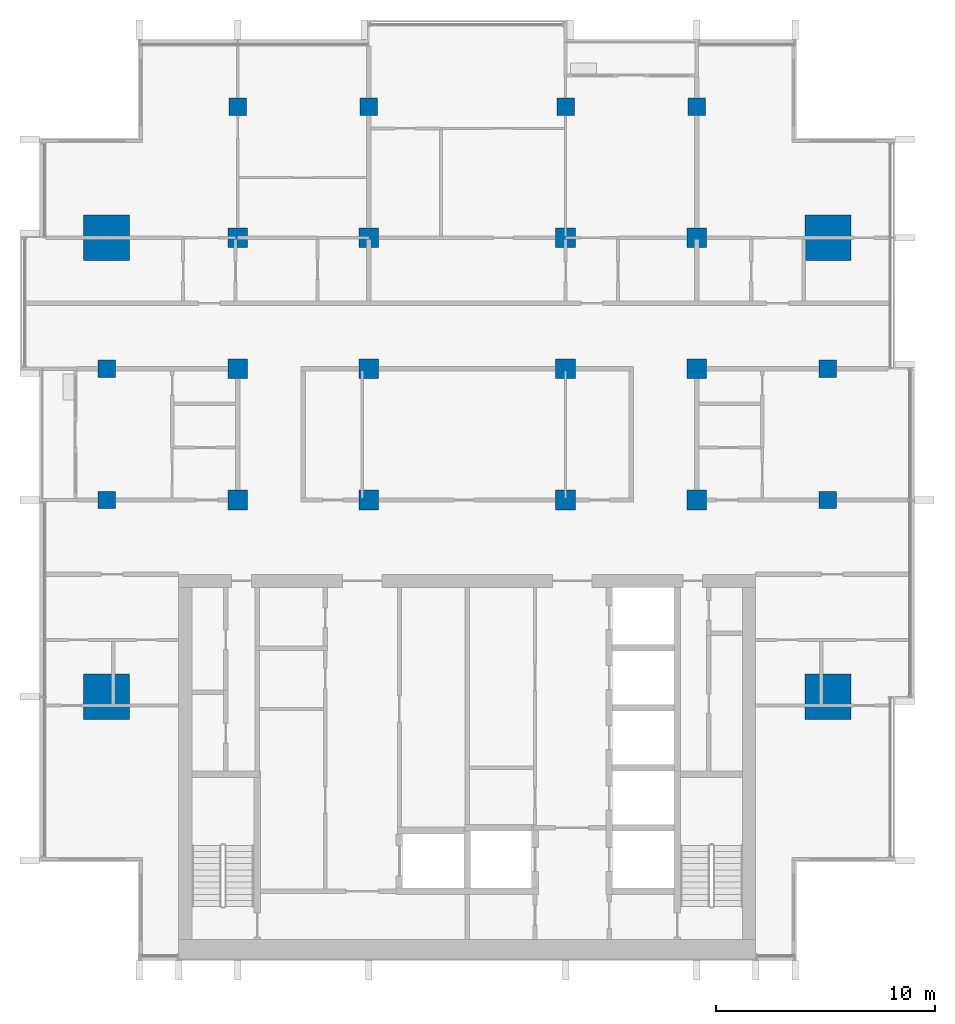
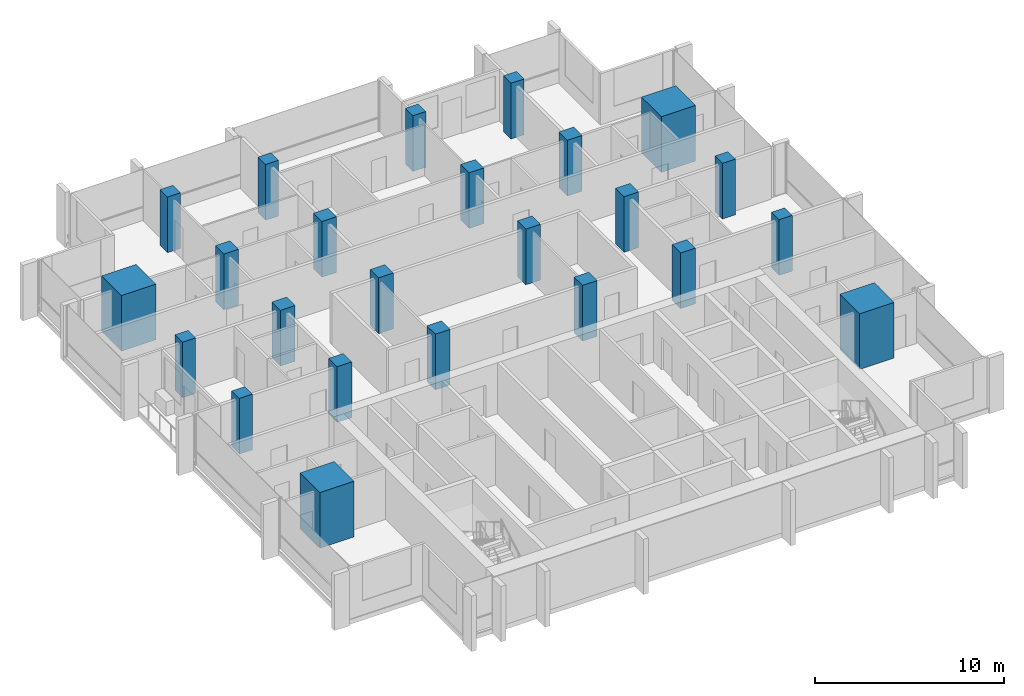
# One storey, part 1 of 16: 24 columns.
"""IFC4 building model written with IfcOpenShell, lengths in metres."""

from ifc_helpers import new_model, si_unit, direction, frame, origin, origin_2d, place, context, subcontext, project, spatial, rectangle, extrude, material, material_profile, profile_set, type_object, element, save


model = new_model("IFC4")

# Units and contexts
model_context = context("Model", 3, precision=1e-05, world=origin(), true_north=direction((0.0, 1.0)))
body_context = subcontext(model_context, "Body", "Model", "MODEL_VIEW")
ifc_project = project(units=[si_unit("LENGTHUNIT", "METRE"), si_unit("AREAUNIT", "SQUARE_METRE"), si_unit("VOLUMEUNIT", "CUBIC_METRE"), si_unit("PLANEANGLEUNIT", "RADIAN"), si_unit("MASSUNIT", "GRAM", prefix="KILO")], contexts=[model_context])

# Site, building, storey
site_placement = place(None, origin())
site = spatial("IfcSite", under=ifc_project, at=site_placement, CompositionType="ELEMENT")
building_placement = place(site_placement, origin())
building = spatial("IfcBuilding", under=site, at=building_placement, Name="Finial Court Residences", CompositionType="ELEMENT")
storey_placement = place(building_placement, frame((0.0, 0.0, 233.89990234375)))
storey = spatial("IfcBuildingStorey", under=building, at=storey_placement, Name="L59", CompositionType="ELEMENT", Elevation=233.89990234375)

# Columns
ifc_material = material(Name="Concrete C50/60", Category="concrete")
ifc_material_profile_1 = material_profile(ifc_material, rectangle(XDim=0.89990234375, YDim=0.89990234375, at=origin_2d()), Name="900x900")
ifc_profile_set_1 = profile_set([ifc_material_profile_1], Name="Concrete C50/60")
column_type_1 = type_object("IfcColumnType", Name="Interior column 900x900 Concrete C50/60", PredefinedType="COLUMN", material=ifc_profile_set_1)
for number, where, z_axis, x_axis, name in (
    (1, (-10.5, -4.5, 0.0), (0.0, 0.0, 1.0), (1.0, 0.0, 0.0), "S:COL:L59:D4"),
    (2, (-10.5, 1.5, 0.0), (0.0, 0.0, 1.0), (1.0, 0.0, 0.0), "S:COL:L59:D5"),
    (3, (-10.5, 7.5, 0.0), (0.0, 0.0, 1.0), (1.0, 0.0, 0.0), "S:COL:L59:D6"),
    (4, (-4.5, -4.5, 0.0), (0.0, 0.0, 1.0), (1.0, 0.0, 0.0), "S:COL:L59:E4"),
    (5, (-4.5, 1.5, 0.0), (0.0, 0.0, 1.0), (1.0, 0.0, 0.0), "S:COL:L59:E5"),
    (6, (-4.5, 7.5, 0.0), (0.0, 0.0, 1.0), (1.0, 0.0, 0.0), "S:COL:L59:E6"),
    (7, (4.5, -4.5, 0.0), (0.0, 0.0, 1.0), (1.0, 0.0, 0.0), "S:COL:L59:F4"),
    (8, (4.5, 1.5, 0.0), (0.0, 0.0, 1.0), (1.0, 0.0, 0.0), "S:COL:L59:F5"),
    (9, (4.5, 7.5, 0.0), (0.0, 0.0, 1.0), (1.0, 0.0, 0.0), "S:COL:L59:F6"),
    (10, (10.5, -4.5, 0.0), (0.0, 0.0, 1.0), (1.0, 0.0, 0.0), "S:COL:L59:G4"),
    (11, (10.5, 1.5, 0.0), (0.0, 0.0, 1.0), (1.0, 0.0, 0.0), "S:COL:L59:G5"),
    (12, (10.5, 7.5, 0.0), (0.0, 0.0, 1.0), (1.0, 0.0, 0.0), "S:COL:L59:G6"),
):
    element("IfcColumn", number, at=place(storey_placement, frame(where, z_axis=z_axis, x_axis=x_axis)), inside=storey, type_object=column_type_1, Name=name, PredefinedType="COLUMN", context=body_context, shape_type="SweptSolid", body=[
        extrude(rectangle(XDim=0.89990234375, YDim=0.89990234375, at=origin_2d()), origin(), (0.0, 0.0, 1.0), 3.60009765625),
    ])
ifc_material_profile_2 = material_profile(ifc_material, rectangle(XDim=2.10009765625, YDim=2.10009765625, at=origin_2d()), Name="2100x2100")
ifc_profile_set_2 = profile_set([ifc_material_profile_2], Name="Concrete C50/60")
column_type_2 = type_object("IfcColumnType", Name="Mega column 2100x2100 Concrete C50/60", PredefinedType="COLUMN", material=ifc_profile_set_2)
for number, where, z_axis, x_axis, name in (
    (13, (-16.5, -13.5, 0.0), (0.0, 0.0, 1.0), (1.0, 0.0, 0.0), "S:COL:L59:C3"),
    (14, (-16.5, 7.5, 0.0), (0.0, 0.0, 1.0), (1.0, 0.0, 0.0), "S:COL:L59:C6"),
    (15, (16.5, -13.5, 0.0), (0.0, 0.0, 1.0), (1.0, 0.0, 0.0), "S:COL:L59:H3"),
    (16, (16.5, 7.5, 0.0), (0.0, 0.0, 1.0), (1.0, 0.0, 0.0), "S:COL:L59:H6"),
):
    element("IfcColumn", number, at=place(storey_placement, frame(where, z_axis=z_axis, x_axis=x_axis)), inside=storey, type_object=column_type_2, Name=name, PredefinedType="COLUMN", context=body_context, shape_type="SweptSolid", body=[
        extrude(rectangle(XDim=2.10009765625, YDim=2.10009765625, at=origin_2d()), origin(), (0.0, 0.0, 1.0), 3.60009765625),
    ])
ifc_material_profile_3 = material_profile(ifc_material, rectangle(XDim=0.800048828125, YDim=0.800048828125, at=origin_2d()), Name="800x800")
ifc_profile_set_3 = profile_set([ifc_material_profile_3], Name="Concrete C50/60")
column_type_3 = type_object("IfcColumnType", Name="Perimeter column 800x800 Concrete C50/60", PredefinedType="COLUMN", material=ifc_profile_set_3)
for number, where, z_axis, x_axis, name in (
    (17, (-16.5, -4.5, 0.0), (0.0, 0.0, 1.0), (1.0, 0.0, 0.0), "S:COL:L59:C4"),
    (18, (-16.5, 1.5, 0.0), (0.0, 0.0, 1.0), (1.0, 0.0, 0.0), "S:COL:L59:C5"),
    (19, (-10.5, 13.5, 0.0), (0.0, 0.0, 1.0), (1.0, 0.0, 0.0), "S:COL:L59:D7"),
    (20, (-4.5, 13.5, 0.0), (0.0, 0.0, 1.0), (1.0, 0.0, 0.0), "S:COL:L59:E7"),
    (21, (4.5, 13.5, 0.0), (0.0, 0.0, 1.0), (1.0, 0.0, 0.0), "S:COL:L59:F7"),
    (22, (10.5, 13.5, 0.0), (0.0, 0.0, 1.0), (1.0, 0.0, 0.0), "S:COL:L59:G7"),
    (23, (16.5, -4.5, 0.0), (0.0, 0.0, 1.0), (1.0, 0.0, 0.0), "S:COL:L59:H4"),
    (24, (16.5, 1.5, 0.0), (0.0, 0.0, 1.0), (1.0, 0.0, 0.0), "S:COL:L59:H5"),
):
    element("IfcColumn", number, at=place(storey_placement, frame(where, z_axis=z_axis, x_axis=x_axis)), inside=storey, type_object=column_type_3, Name=name, PredefinedType="COLUMN", context=body_context, shape_type="SweptSolid", body=[
        extrude(rectangle(XDim=0.800048828125, YDim=0.800048828125, at=origin_2d()), origin(), (0.0, 0.0, 1.0), 3.60009765625),
    ])

save(model, "model.ifc")
